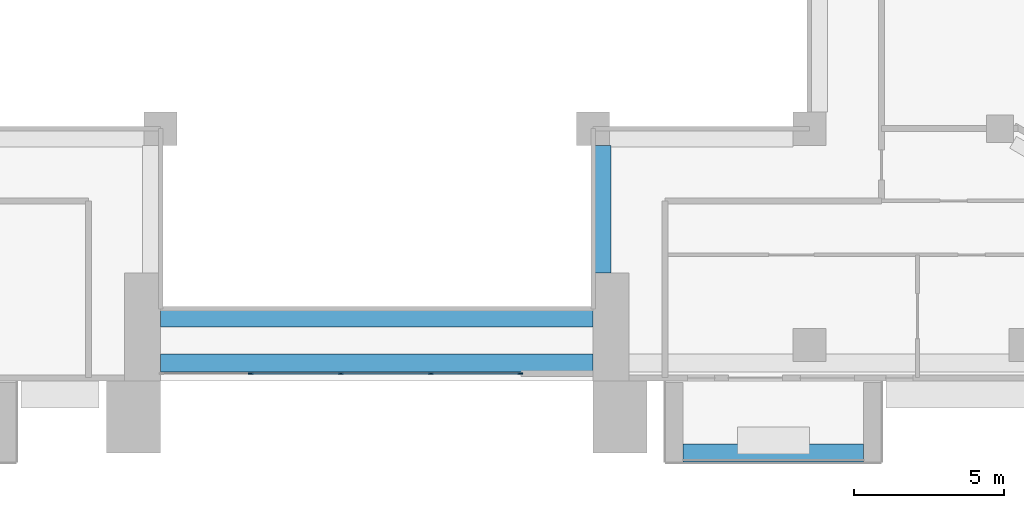
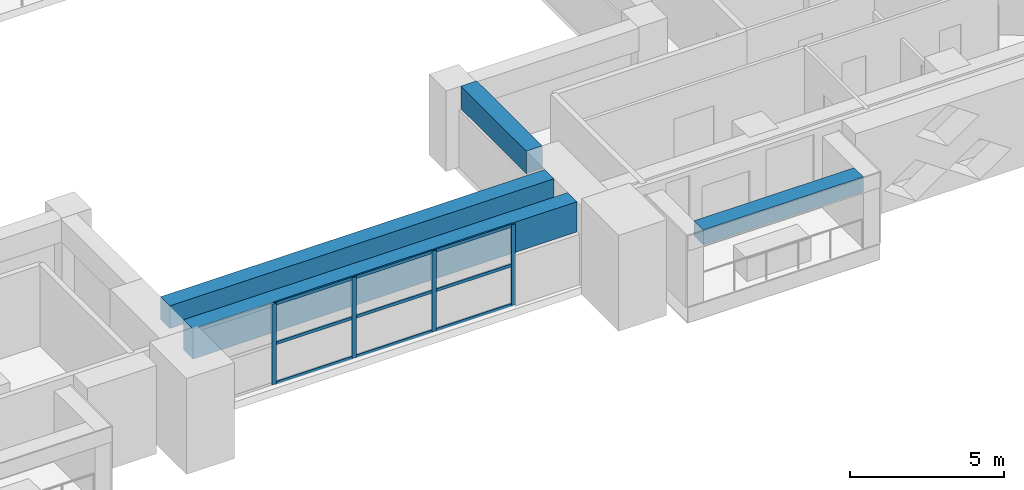
# One storey, part 4 of 20: 13 members, 4 beams, 1 element without a shape of its own.
"""IFC4 building model written with IfcOpenShell, lengths in metres."""

from ifc_helpers import new_model, si_unit, direction, frame, origin, origin_2d, place, context, subcontext, project, spatial, rectangle, extrude, source, transform, mapped, material, layer, layer_set, material_profile, profile_set, type_object, element, aggregate, save


model = new_model("IFC4")

# Units and contexts
model_context = context("Model", 3, precision=1e-05, world=origin(), true_north=direction((0.0, 1.0)))
body_context = subcontext(model_context, "Body", "Model", "MODEL_VIEW")
ifc_project = project(units=[si_unit("LENGTHUNIT", "METRE"), si_unit("AREAUNIT", "SQUARE_METRE"), si_unit("VOLUMEUNIT", "CUBIC_METRE"), si_unit("PLANEANGLEUNIT", "RADIAN"), si_unit("MASSUNIT", "GRAM", prefix="KILO")], contexts=[model_context])

# Site, building, storey
site_placement = place(None, origin())
site = spatial("IfcSite", under=ifc_project, at=site_placement, CompositionType="ELEMENT")
building_placement = place(site_placement, origin())
building = spatial("IfcBuilding", under=site, at=building_placement, Name="Saffron Iwan Residences", CompositionType="ELEMENT")
storey_placement = place(building_placement, frame((0.0, 0.0, 130.5)))
storey = spatial("IfcBuildingStorey", under=building, at=storey_placement, Name="L34", CompositionType="ELEMENT", Elevation=130.5)

# Beams
ifc_material_1 = material(Name="Concrete C50/60", Category="concrete")
ifc_material_profile_1 = material_profile(ifc_material_1, rectangle(XDim=0.60009765625, YDim=1.199951171875, at=origin_2d()), Name="RC 600x1200")
ifc_profile_set_1 = profile_set([ifc_material_profile_1], Name="Concrete C50/60")
beam_type_1 = type_object("IfcBeamType", Name="LINTEL BEAM RC 600x1200 C50/60 TOP 3200", PredefinedType="LINTEL", material=ifc_profile_set_1)
shared_shape_1 = source(origin(), body_context, "Body", "SweptSolid", [
    extrude(rectangle(XDim=0.60009765625, YDim=1.199951171875, at=origin_2d()), origin(), (0.0, 0.0, 1.0), 14.400146484375),
])
beam_1_placement = place(storey_placement, frame((57.60009765625, 40.199951171875, 2.60009765625), z_axis=(-1.0, 0.0, 0.0), x_axis=(0.0, -1.0, 0.0)))
element("IfcBeam", 1, at=beam_1_placement, inside=storey, type_object=beam_type_1, Name="Lintel beam over the iwan", PredefinedType="LINTEL", context=body_context, shape_type="MappedRepresentation", body=[
    mapped(shared_shape_1, transform((0.0, 0.0, 0.0))),
])
ifc_material_profile_2 = material_profile(ifc_material_1, rectangle(XDim=0.60009765625, YDim=0.89990234375, at=origin_2d()), Name="RC 600x900")
ifc_profile_set_2 = profile_set([ifc_material_profile_2], Name="Concrete C50/60")
beam_type_2 = type_object("IfcBeamType", Name="BEAM RC 600x900 C50/60 TOP 3200", PredefinedType="BEAM", material=ifc_profile_set_2)
shared_shape_2 = source(origin(), body_context, "Body", "SweptSolid", [
    extrude(rectangle(XDim=0.60009765625, YDim=0.89990234375, at=origin_2d()), origin(), (0.0, 0.0, 1.0), 14.400146484375),
])
beam_2_placement = place(storey_placement, frame((57.60009765625, 41.699951171875, 2.75), z_axis=(-1.0, 0.0, 0.0), x_axis=(0.0, -1.0, 0.0)))
element("IfcBeam", 2, at=beam_2_placement, inside=storey, type_object=beam_type_2, Name="Atrium edge beam", PredefinedType="BEAM", context=body_context, shape_type="MappedRepresentation", body=[
    mapped(shared_shape_2, transform((0.0, 0.0, 0.0))),
])
shared_shape_3 = source(origin(), body_context, "Body", "SweptSolid", [
    extrude(rectangle(XDim=0.60009765625, YDim=0.89990234375, at=origin_2d()), origin(), (0.0, 0.0, 1.0), 4.25),
])
beam_3_placement = place(storey_placement, frame((57.89990234375, 47.449951171875, 2.75), z_axis=(0.0, -1.0, 0.0), x_axis=(1.0, 0.0, 0.0)))
element("IfcBeam", 3, at=beam_3_placement, inside=storey, type_object=beam_type_2, Name="Atrium edge beam", PredefinedType="BEAM", context=body_context, shape_type="MappedRepresentation", body=[
    mapped(shared_shape_3, transform((0.0, 0.0, 0.0))),
])

# Curtain wall, members
ifc_material_2 = material(Name="Clear glass, laminated double glazed", Category="glass")
ifc_layer = layer(ifc_material_2, 0.199951171875)
ifc_layer_set = layer_set([ifc_layer], Name="Clear glass, laminated double glazed")
curtain_wall_type = type_object("IfcCurtainWallType", Name="CW-B IWAN PORTAL", PredefinedType="NOTDEFINED", material=ifc_layer_set)
curtain_wall_placement = place(storey_placement, origin())
curtain_wall = element("IfcCurtainWall", 4, at=curtain_wall_placement, inside=storey, type_object=curtain_wall_type, Name="Iwan portal glazing L34.1", PredefinedType="NOTDEFINED")
ifc_material_3 = material(Name="Aluminium 6063-T6", Category="aluminium")
ifc_material_profile_3 = material_profile(ifc_material_3, rectangle(XDim=0.06005859375, YDim=0.1201171875, at=origin_2d()), Name="CW-B TRANSOM 60 x 120")
ifc_profile_set_3 = profile_set([ifc_material_profile_3], Name="Aluminium 6063-T6")
member_type_1 = type_object("IfcMemberType", Name="CW-B TRANSOM 60 x 120", PredefinedType="USERDEFINED", material=ifc_profile_set_3)
shared_shape_4 = source(origin(), body_context, "Body", "SweptSolid", [
    extrude(rectangle(XDim=0.06005859375, YDim=0.1201171875, at=origin_2d()), origin(), (0.0, 0.0, 1.0), 2.909912109375),
])
member_1_placement = place(storey_placement, frame((52.22998046875, 39.85009765625, 0.030029296875), z_axis=(1.0, 0.0, 0.0), x_axis=(0.0, 1.0, 0.0)))
member_1 = element("IfcMember", 5, at=member_1_placement, type_object=member_type_1, Name="CW-B transom 4.1", ObjectType="TRANSOM", PredefinedType="USERDEFINED", context=body_context, shape_type="MappedRepresentation", body=[
    mapped(shared_shape_4, transform((0.0, 0.0, 0.0))),
])
member_2_placement = place(storey_placement, frame((52.22998046875, 39.85009765625, 1.60009765625), z_axis=(1.0, 0.0, 0.0), x_axis=(0.0, 1.0, 0.0)))
member_2 = element("IfcMember", 6, at=member_2_placement, type_object=member_type_1, Name="CW-B transom 4.2", ObjectType="TRANSOM", PredefinedType="USERDEFINED", context=body_context, shape_type="MappedRepresentation", body=[
    mapped(shared_shape_4, transform((0.0, 0.0, 0.0))),
])
member_3_placement = place(storey_placement, frame((52.22998046875, 39.85009765625, 3.169921875), z_axis=(1.0, 0.0, 0.0), x_axis=(0.0, 1.0, 0.0)))
member_3 = element("IfcMember", 7, at=member_3_placement, type_object=member_type_1, Name="CW-B transom 4.3", ObjectType="TRANSOM", PredefinedType="USERDEFINED", context=body_context, shape_type="MappedRepresentation", body=[
    mapped(shared_shape_4, transform((0.0, 0.0, 0.0))),
])
shared_shape_5 = source(origin(), body_context, "Body", "SweptSolid", [
    extrude(rectangle(XDim=0.06005859375, YDim=0.1201171875, at=origin_2d()), origin(), (0.0, 0.0, 1.0), 2.93994140625),
])
member_4_placement = place(storey_placement, frame((46.22998046875, 39.85009765625, 0.030029296875), z_axis=(1.0, 0.0, 0.0), x_axis=(0.0, 1.0, 0.0)))
member_4 = element("IfcMember", 8, at=member_4_placement, type_object=member_type_1, Name="CW-B transom 2.1", ObjectType="TRANSOM", PredefinedType="USERDEFINED", context=body_context, shape_type="MappedRepresentation", body=[
    mapped(shared_shape_5, transform((0.0, 0.0, 0.0))),
])
member_5_placement = place(storey_placement, frame((46.22998046875, 39.85009765625, 1.60009765625), z_axis=(1.0, 0.0, 0.0), x_axis=(0.0, 1.0, 0.0)))
member_5 = element("IfcMember", 9, at=member_5_placement, type_object=member_type_1, Name="CW-B transom 2.2", ObjectType="TRANSOM", PredefinedType="USERDEFINED", context=body_context, shape_type="MappedRepresentation", body=[
    mapped(shared_shape_5, transform((0.0, 0.0, 0.0))),
])
member_6_placement = place(storey_placement, frame((46.22998046875, 39.85009765625, 3.169921875), z_axis=(1.0, 0.0, 0.0), x_axis=(0.0, 1.0, 0.0)))
member_6 = element("IfcMember", 10, at=member_6_placement, type_object=member_type_1, Name="CW-B transom 2.3", ObjectType="TRANSOM", PredefinedType="USERDEFINED", context=body_context, shape_type="MappedRepresentation", body=[
    mapped(shared_shape_5, transform((0.0, 0.0, 0.0))),
])
member_7_placement = place(storey_placement, frame((49.22998046875, 39.85009765625, 0.030029296875), z_axis=(1.0, 0.0, 0.0), x_axis=(0.0, 1.0, 0.0)))
member_7 = element("IfcMember", 11, at=member_7_placement, type_object=member_type_1, Name="CW-B transom 3.1", ObjectType="TRANSOM", PredefinedType="USERDEFINED", context=body_context, shape_type="MappedRepresentation", body=[
    mapped(shared_shape_5, transform((0.0, 0.0, 0.0))),
])
member_8_placement = place(storey_placement, frame((49.22998046875, 39.85009765625, 1.60009765625), z_axis=(1.0, 0.0, 0.0), x_axis=(0.0, 1.0, 0.0)))
member_8 = element("IfcMember", 12, at=member_8_placement, type_object=member_type_1, Name="CW-B transom 3.2", ObjectType="TRANSOM", PredefinedType="USERDEFINED", context=body_context, shape_type="MappedRepresentation", body=[
    mapped(shared_shape_5, transform((0.0, 0.0, 0.0))),
])
member_9_placement = place(storey_placement, frame((49.22998046875, 39.85009765625, 3.169921875), z_axis=(1.0, 0.0, 0.0), x_axis=(0.0, 1.0, 0.0)))
member_9 = element("IfcMember", 13, at=member_9_placement, type_object=member_type_1, Name="CW-B transom 3.3", ObjectType="TRANSOM", PredefinedType="USERDEFINED", context=body_context, shape_type="MappedRepresentation", body=[
    mapped(shared_shape_5, transform((0.0, 0.0, 0.0))),
])

# Beam
ifc_material_4 = material(Name="Concrete C50/60 white painted", Category="concrete")
ifc_material_profile_4 = material_profile(ifc_material_4, rectangle(XDim=0.60009765625, YDim=0.60009765625, at=origin_2d()), Name="BALCONY FASCIA BEAM 600 x 600")
ifc_profile_set_4 = profile_set([ifc_material_profile_4], Name="Concrete C50/60 white painted")
beam_type_3 = type_object("IfcBeamType", Name="BALCONY FASCIA BEAM 600 x 600", PredefinedType="BEAM", material=ifc_profile_set_4)
shared_shape_6 = source(origin(), body_context, "Body", "SweptSolid", [
    extrude(rectangle(XDim=0.60009765625, YDim=0.60009765625, at=origin_2d()), origin(), (0.0, 0.0, 1.0), 6.0),
])
beam_4_placement = place(storey_placement, frame((60.60009765625, 37.199951171875, 2.550048828125), z_axis=(1.0, 0.0, 0.0), x_axis=(0.0, 1.0, 0.0)))
element("IfcBeam", 14, at=beam_4_placement, inside=storey, type_object=beam_type_3, Name="Balcony fascia beam L34 11-1", PredefinedType="BEAM", context=body_context, shape_type="MappedRepresentation", body=[
    mapped(shared_shape_6, transform((0.0, 0.0, 0.0))),
])

# Member
ifc_material_profile_5 = material_profile(ifc_material_3, rectangle(XDim=0.06005859375, YDim=0.159912109375, at=origin_2d()), Name="CW-B MULLION 60 x 160")
ifc_profile_set_5 = profile_set([ifc_material_profile_5], Name="Aluminium 6063-T6")
member_type_2 = type_object("IfcMemberType", Name="CW-B MULLION 60 x 160", PredefinedType="MULLION", material=ifc_profile_set_5)
shared_shape_7 = source(origin(), body_context, "Body", "SweptSolid", [
    extrude(rectangle(XDim=0.06005859375, YDim=0.159912109375, at=origin_2d()), origin(), (0.0, 0.0, 1.0), 3.199951171875),
])
member_10_placement = place(storey_placement, frame((46.199951171875, 39.85009765625, 0.0), z_axis=(0.0, 0.0, 1.0), x_axis=(0.0, 1.0, 0.0)))
member_10 = element("IfcMember", 15, at=member_10_placement, type_object=member_type_2, Name="CW-B mullion 2", PredefinedType="MULLION", context=body_context, shape_type="MappedRepresentation", body=[
    mapped(shared_shape_7, transform((0.0, 0.0, 0.0))),
])

member_11_placement = place(storey_placement, frame((49.199951171875, 39.85009765625, 0.0), z_axis=(0.0, 0.0, 1.0), x_axis=(0.0, 1.0, 0.0)))
member_11 = element("IfcMember", 16, at=member_11_placement, type_object=member_type_2, Name="CW-B mullion 3", PredefinedType="MULLION", context=body_context, shape_type="MappedRepresentation", body=[
    mapped(shared_shape_7, transform((0.0, 0.0, 0.0))),
])

member_12_placement = place(storey_placement, frame((52.199951171875, 39.85009765625, 0.0), z_axis=(0.0, 0.0, 1.0), x_axis=(0.0, 1.0, 0.0)))
member_12 = element("IfcMember", 17, at=member_12_placement, type_object=member_type_2, Name="CW-B mullion 4", PredefinedType="MULLION", context=body_context, shape_type="MappedRepresentation", body=[
    mapped(shared_shape_7, transform((0.0, 0.0, 0.0))),
])

member_13_placement = place(storey_placement, frame((55.169921875, 39.85009765625, 0.0), z_axis=(0.0, 0.0, 1.0), x_axis=(0.0, 1.0, 0.0)))
member_13 = element("IfcMember", 18, at=member_13_placement, type_object=member_type_2, Name="CW-B mullion 5", PredefinedType="MULLION", context=body_context, shape_type="MappedRepresentation", body=[
    mapped(shared_shape_7, transform((0.0, 0.0, 0.0))),
])

aggregate(curtain_wall, [member_10, member_11, member_12, member_13, member_4, member_5, member_6, member_7, member_8, member_9, member_1, member_2, member_3])

save(model, "model.ifc")
